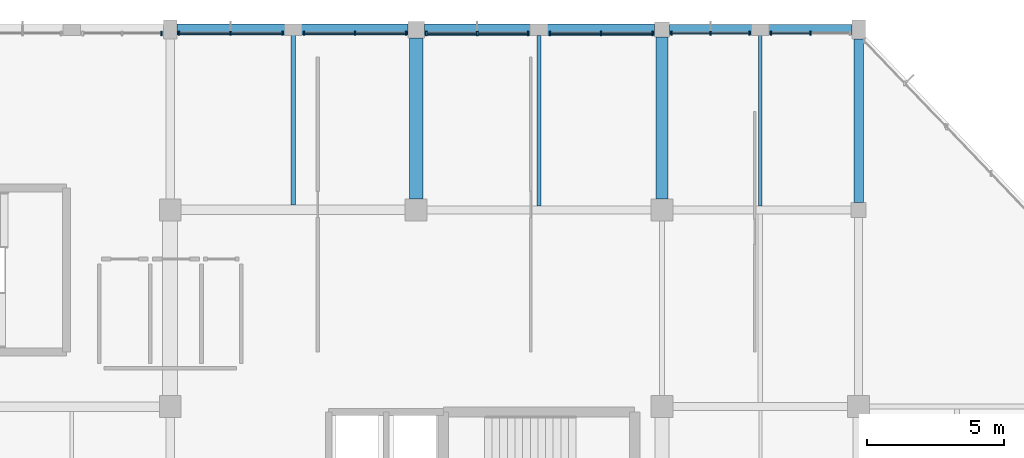
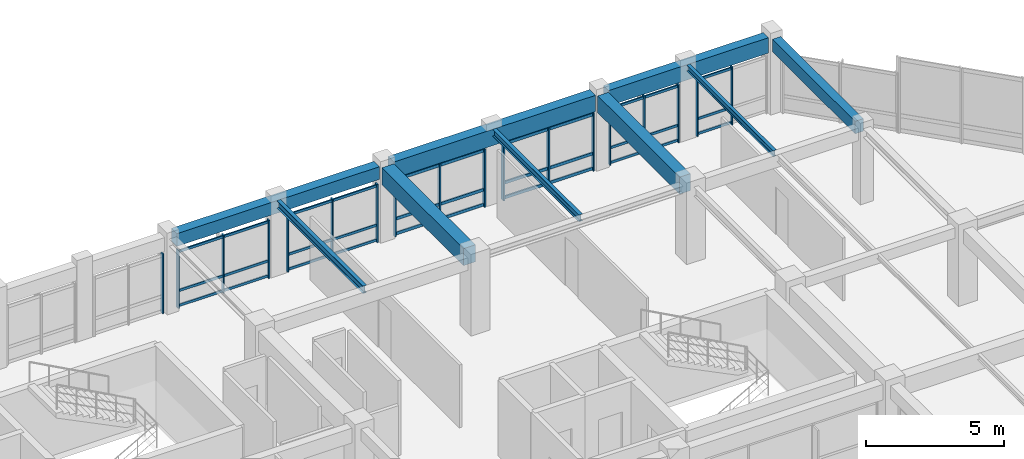
# One storey, part 40 of 74: 51 members, 9 beams, 7 elements without a shape of their own.
"""IFC4 building model written with IfcOpenShell, lengths in metres."""

import ifcopenshell
import ifcopenshell.guid

model = None  # the IFC model being written
_history = None  # IfcOwnerHistory: only IFC2X3 demands one
_inside = {}  # id of a spatial element -> (the spatial element, [elements in it])
_under = {}  # id of a project, library or spatial element -> (it, [spatial elements below it])
_declared = {}  # id of a project -> (the project, [libraries it declares])
_typed = {}  # id of a type object -> (the type object, [elements of that type])
_made_of = {}  # id of a material, layer set ... -> (it, [elements and type objects made of it])


def new_model(schema):
    """Start an empty IFC model of exactly this schema.

    Asked for "IFC4X3", IfcOpenShell would pick the latest addendum, in which some entities
    have other attributes; the version numbers below select the first issue.
    IFC2X3 requires an IfcOwnerHistory on every rooted entity: one is made here for all.
    """
    global model, _history
    if schema == "IFC4X3":
        model = ifcopenshell.file(schema_version=(4, 3, 0, 0))
    else:
        model = ifcopenshell.file(schema=schema)
    _inside.clear()
    _under.clear()
    _declared.clear()
    _typed.clear()
    _made_of.clear()
    _history = None
    if model.schema == "IFC2X3":
        org = make("IfcOrganization", Name="unknown")
        user = make(
            "IfcPersonAndOrganization",
            ThePerson=make("IfcPerson", FamilyName="unknown"),
            TheOrganization=org,
        )
        app = make(
            "IfcApplication",
            ApplicationDeveloper=org,
            Version="unknown",
            ApplicationFullName="unknown",
            ApplicationIdentifier="unknown",
        )
        _history = make(
            "IfcOwnerHistory",
            OwningUser=user,
            OwningApplication=app,
            ChangeAction="ADDED",
            CreationDate=0,
        )
    return model


def make(cls, **values):
    """One entity of the class cls with the attributes given. An attribute that is None is left unset."""
    return model.create_entity(
        cls, **{name: value for name, value in values.items() if value is not None}
    )


def rooted(cls, **values):
    """An entity with a GlobalId (a new one), such as an element, a storey or a relation."""
    return make(cls, GlobalId=ifcopenshell.guid.new(), OwnerHistory=_history, **values)


def si_unit(unit_type, name, prefix=None):
    """IfcSIUnit, for example si_unit("LENGTHUNIT", "METRE", prefix="MILLI")."""
    return make("IfcSIUnit", UnitType=unit_type, Prefix=prefix, Name=name)


def assignment(units):
    """IfcUnitAssignment: the units of a project."""
    return None if units is None else make("IfcUnitAssignment", Units=units)


def point(xyz):
    """IfcCartesianPoint."""
    return None if xyz is None else make("IfcCartesianPoint", Coordinates=xyz)


def direction(xyz):
    """IfcDirection."""
    return None if xyz is None else make("IfcDirection", DirectionRatios=xyz)


def frame(location, z_axis=None, x_axis=None):
    """IfcAxis2Placement3D, a coordinate frame: its origin and axes. An axis left out is left unset."""
    return make(
        "IfcAxis2Placement3D",
        Location=point(location),
        Axis=direction(z_axis),
        RefDirection=direction(x_axis),
    )


def frame_2d(location, x_axis=None):
    """IfcAxis2Placement2D, a coordinate frame in the plane: its origin and x axis."""
    return make(
        "IfcAxis2Placement2D", Location=point(location), RefDirection=direction(x_axis)
    )


def origin():
    """The frame at (0, 0, 0) with its axes left unset."""
    return frame((0.0, 0.0, 0.0))


def origin_2d():
    """The frame at (0, 0) in the plane with its x axis left unset."""
    return frame_2d((0.0, 0.0))


def place(relative_to, where):
    """IfcLocalPlacement: puts the frame where relative to a parent placement (None: the world)."""
    return make(
        "IfcLocalPlacement", PlacementRelTo=relative_to, RelativePlacement=where
    )


def context(
    kind, dimensions, precision=None, world=None, true_north=None, identifier=None
):
    """IfcGeometricRepresentationContext, for example the 3D "Model" context."""
    return make(
        "IfcGeometricRepresentationContext",
        ContextIdentifier=identifier,
        ContextType=kind,
        CoordinateSpaceDimension=dimensions,
        Precision=precision,
        WorldCoordinateSystem=world,
        TrueNorth=true_north,
    )


def subcontext(parent, identifier, kind, view, scale=None):
    """IfcGeometricRepresentationSubContext, for example "Body" below "Model"."""
    return make(
        "IfcGeometricRepresentationSubContext",
        ContextIdentifier=identifier,
        ContextType=kind,
        ParentContext=parent,
        TargetScale=scale,
        TargetView=view,
    )


def project(units=None, contexts=None):
    """IfcProject with its units and contexts."""
    return rooted(
        "IfcProject",
        Name="project",
        RepresentationContexts=contexts,
        UnitsInContext=assignment(units),
    )


def spatial(cls, under=None, at=None, **own):
    """A site, building, storey or space (cls), placed at a placement, below another one or the project."""
    s = rooted(cls, ObjectPlacement=at, **own)
    if under is not None:
        _under.setdefault(under.id(), (under, []))[1].append(s)
    return s


def profile(cls, at=None, kind="AREA", **sizes):
    """A parametric profile (cls). Its sizes go by their IFC names, for example OverallWidth=200.0."""
    return make(cls, ProfileType=kind, Position=at, **sizes)


def rectangle(**sizes):
    """IfcRectangleProfileDef."""
    return profile("IfcRectangleProfileDef", **sizes)


def i_section(**sizes):
    """IfcIShapeProfileDef."""
    return profile("IfcIShapeProfileDef", **sizes)


def extrude(swept, where, along, depth):
    """IfcExtrudedAreaSolid: the profile swept, set in the frame where, extruded along a direction by depth."""
    return make(
        "IfcExtrudedAreaSolid",
        SweptArea=swept,
        Position=where,
        ExtrudedDirection=direction(along),
        Depth=depth,
    )


def shape(context_of_items, identifier, shape_type, items):
    """IfcShapeRepresentation: the items that make up one representation, for example the "Body"."""
    return make(
        "IfcShapeRepresentation",
        ContextOfItems=context_of_items,
        RepresentationIdentifier=identifier,
        RepresentationType=shape_type,
        Items=items,
    )


def material(Name=None, Category=None):
    """IfcMaterial."""
    return make("IfcMaterial", Name=Name, Category=Category)


def material_profile(
    of_material, cross_section, Name=None, Category=None, Priority=None
):
    """IfcMaterialProfile: a cross section and its material."""
    return make(
        "IfcMaterialProfile",
        Name=Name,
        Material=of_material,
        Profile=cross_section,
        Priority=Priority,
        Category=Category,
    )


def profile_set(profiles, Name=None, composite=None):
    """IfcMaterialProfileSet."""
    return make(
        "IfcMaterialProfileSet",
        Name=Name,
        MaterialProfiles=profiles,
        CompositeProfile=composite,
    )


def made_of(thing, what):
    """Note that an element or type object is made of a material, layer set ...; save() writes the relation."""
    if what is not None:
        _made_of.setdefault(what.id(), (what, []))[1].append(thing)
    return thing


def type_object(cls, material=None, **own):
    """A type object (cls), such as IfcWallType, which elements share."""
    return made_of(rooted(cls, **own), material)


def element(
    cls,
    number,
    at=None,
    inside=None,
    cuts=None,
    type_object=None,
    material=None,
    context=None,
    identifier="Body",
    shape_type=None,
    held_by="IfcProductDefinitionShape",
    body=None,
    shapes=None,
    **own,
):
    """One element of the class cls, such as IfcWall. Its Tag is "e" and its number.

    at: its placement. inside: the storey or other place that contains it. cuts: it is an
    opening in that element (IfcRelVoidsElement). A single representation is given by context,
    identifier, shape_type and body (its items); several are given by shapes. held_by: the class
    of the entity that holds the representations. save() writes the other relations.
    """
    e = rooted(cls, Tag="e%d" % number, ObjectPlacement=at, **own)
    if body is not None:
        shapes = [shape(context, identifier, shape_type, body)]
    if shapes is not None:
        e.Representation = make(held_by, Representations=shapes)
    if inside is not None:
        _inside.setdefault(inside.id(), (inside, []))[1].append(e)
    if cuts is not None:
        rooted(
            "IfcRelVoidsElement", RelatingBuildingElement=cuts, RelatedOpeningElement=e
        )
    if type_object is not None:
        _typed.setdefault(type_object.id(), (type_object, []))[1].append(e)
    return made_of(e, material)


def aggregate(whole, parts):
    """IfcRelAggregates: a whole, such as a stair, and the parts it consists of."""
    return rooted("IfcRelAggregates", RelatingObject=whole, RelatedObjects=parts)


def save(model, path):
    """Write the relations noted so far, then the file.

    IfcRelAggregates (storeys below a building ...), IfcRelContainedInSpatialStructure (elements
    in a storey), IfcRelDefinesByType, IfcRelAssociatesMaterial and IfcRelDeclares: one each for
    every whole, place, type object, material and project.
    """
    for whole, parts in _under.values():
        aggregate(whole, parts)
    for where, things in _inside.values():
        rooted(
            "IfcRelContainedInSpatialStructure",
            RelatedElements=things,
            RelatingStructure=where,
        )
    for kind, things in _typed.values():
        rooted("IfcRelDefinesByType", RelatedObjects=things, RelatingType=kind)
    for what, things in _made_of.values():
        rooted("IfcRelAssociatesMaterial", RelatedObjects=things, RelatingMaterial=what)
    for by, libraries in _declared.values():
        rooted("IfcRelDeclares", RelatingContext=by, RelatedDefinitions=libraries)
    model.write(path)


model = new_model("IFC4")

# Units and contexts
model_context = context("Model", 3, precision=1e-05, world=origin(), true_north=direction((0.0, 1.0)))
body_context = subcontext(model_context, "Body", "Model", "MODEL_VIEW")
ifc_project = project(units=[si_unit("LENGTHUNIT", "METRE"), si_unit("AREAUNIT", "SQUARE_METRE"), si_unit("VOLUMEUNIT", "CUBIC_METRE"), si_unit("PLANEANGLEUNIT", "RADIAN"), si_unit("MASSUNIT", "GRAM", prefix="KILO")], contexts=[model_context])

# Site, building, storey
site_placement = place(None, origin())
site = spatial("IfcSite", under=ifc_project, at=site_placement, CompositionType="ELEMENT")
building_placement = place(site_placement, origin())
building = spatial("IfcBuilding", under=site, at=building_placement, Name="Clarverna Civic Hall", CompositionType="ELEMENT")
storey_placement = place(building_placement, frame((0.0, 0.0, 9.60009765625)))
storey = spatial("IfcBuildingStorey", under=building, at=storey_placement, Name="L02", CompositionType="ELEMENT", Elevation=9.60009765625)

# Beams
ifc_material_1 = material(Name="Concrete C35/45", Category="concrete")
ifc_material_profile_1 = material_profile(ifc_material_1, rectangle(XDim=0.5, YDim=0.75, at=origin_2d()), Name="RC 500x750")
ifc_profile_set_1 = profile_set([ifc_material_profile_1], Name="Concrete C35/45")
beam_type_1 = type_object("IfcBeamType", Name="B-RC15", PredefinedType="BEAM", material=ifc_profile_set_1)
beam_1_placement = place(storey_placement, frame((138.60009765625, 109.800048828125, 2.94482421875), z_axis=(0.0, 1.0, 0.0), x_axis=(-1.0, 0.0, 0.0)))
element("IfcBeam", 1, at=beam_1_placement, inside=storey, type_object=beam_type_1, Name="B-RC15-042", PredefinedType="BEAM", context=body_context, shape_type="SweptSolid", body=[
    extrude(rectangle(XDim=0.5, YDim=0.75, at=origin_2d()), origin(), (0.0, 0.0, 1.0), 5.89990234375),
])
ifc_material_profile_2 = material_profile(ifc_material_1, rectangle(XDim=0.449951171875, YDim=0.75, at=origin_2d()), Name="RC 450x750")
ifc_profile_set_2 = profile_set([ifc_material_profile_2], Name="Concrete C35/45")
beam_type_2 = type_object("IfcBeamType", Name="B-RC3", PredefinedType="BEAM", material=ifc_profile_set_2)
beam_2_placement = place(storey_placement, frame((147.60009765625, 109.800048828125, 2.94482421875), z_axis=(0.0, 1.0, 0.0), x_axis=(-1.0, 0.0, 0.0)))
element("IfcBeam", 2, at=beam_2_placement, inside=storey, type_object=beam_type_2, Name="B-RC3-034", PredefinedType="BEAM", context=body_context, shape_type="SweptSolid", body=[
    extrude(rectangle(XDim=0.449951171875, YDim=0.75, at=origin_2d()), origin(), (0.0, 0.0, 1.0), 5.925048828125),
])
ifc_material_profile_3 = material_profile(ifc_material_1, rectangle(XDim=0.35009765625, YDim=0.550048828125, at=origin_2d()), Name="RC 350x550")
ifc_profile_set_3 = profile_set([ifc_material_profile_3], Name="Concrete C35/45")
beam_type_3 = type_object("IfcBeamType", Name="B-RC9", PredefinedType="BEAM", material=ifc_profile_set_3)
beam_3_placement = place(storey_placement, frame((154.800048828125, 109.675048828125, 3.044921875), z_axis=(0.0, 1.0, 0.0), x_axis=(-1.0, 0.0, 0.0)))
element("IfcBeam", 3, at=beam_3_placement, inside=storey, type_object=beam_type_3, Name="B-RC9-040", PredefinedType="BEAM", context=body_context, shape_type="SweptSolid", body=[
    extrude(rectangle(XDim=0.35009765625, YDim=0.550048828125, at=origin_2d()), origin(), (0.0, 0.0, 1.0), 5.974853515625),
])
ifc_material_profile_4 = material_profile(ifc_material_1, rectangle(XDim=0.419921875, YDim=0.719970703125, at=origin_2d()), Name="RC 420x720")
ifc_profile_set_4 = profile_set([ifc_material_profile_4], Name="Concrete C35/45")
beam_type_4 = type_object("IfcBeamType", Name="B-SP1", PredefinedType="SPANDREL", material=ifc_profile_set_4)
beam_4_placement = place(storey_placement, frame((138.89990234375, 116.0, 2.9599609375), z_axis=(1.0, 0.0, 0.0), x_axis=(0.0, 1.0, 0.0)))
element("IfcBeam", 4, at=beam_4_placement, inside=storey, type_object=beam_type_4, Name="B-SP1-092", PredefinedType="SPANDREL", context=body_context, shape_type="SweptSolid", body=[
    extrude(rectangle(XDim=0.419921875, YDim=0.719970703125, at=origin_2d()), origin(), (0.0, 0.0, 1.0), 8.425048828125),
])
ifc_material_profile_5 = material_profile(ifc_material_1, rectangle(XDim=0.3798828125, YDim=0.679931640625, at=origin_2d()), Name="RC 380x680")
ifc_profile_set_5 = profile_set([ifc_material_profile_5], Name="Concrete C35/45")
beam_type_5 = type_object("IfcBeamType", Name="B-SP2", PredefinedType="SPANDREL", material=ifc_profile_set_5)
beam_5_placement = place(storey_placement, frame((147.875, 116.0, 2.97998046875), z_axis=(1.0, 0.0, 0.0), x_axis=(0.0, 1.0, 0.0)))
element("IfcBeam", 5, at=beam_5_placement, inside=storey, type_object=beam_type_5, Name="B-SP2-096", PredefinedType="SPANDREL", context=body_context, shape_type="SweptSolid", body=[
    extrude(rectangle(XDim=0.3798828125, YDim=0.679931640625, at=origin_2d()), origin(), (0.0, 0.0, 1.0), 6.675048828125),
])
ifc_material_profile_6 = material_profile(ifc_material_1, rectangle(XDim=0.39990234375, YDim=0.56005859375, at=origin_2d()), Name="RC 400x560")
ifc_profile_set_6 = profile_set([ifc_material_profile_6], Name="Concrete C35/45")
beam_type_6 = type_object("IfcBeamType", Name="B-SP4", PredefinedType="SPANDREL", material=ifc_profile_set_6)
beam_6_placement = place(storey_placement, frame((129.85009765625, 116.0, 3.039794921875), z_axis=(1.0, 0.0, 0.0), x_axis=(0.0, 1.0, 0.0)))
element("IfcBeam", 6, at=beam_6_placement, inside=storey, type_object=beam_type_6, Name="B-SP4-093", PredefinedType="SPANDREL", context=body_context, shape_type="SweptSolid", body=[
    extrude(rectangle(XDim=0.39990234375, YDim=0.56005859375, at=origin_2d()), origin(), (0.0, 0.0, 1.0), 8.449951171875),
])

# Curtain wall, member
ifc_material_2 = material(Name="Anodised Bronze Architectural Aluminium", Category="aluminium")
curtain_wall_type = type_object("IfcCurtainWallType", Name="CW-01", PredefinedType="USERDEFINED", material=ifc_material_2)
curtain_wall_1_placement = place(storey_placement, origin())
curtain_wall_1 = element("IfcCurtainWall", 7, at=curtain_wall_1_placement, inside=storey, type_object=curtain_wall_type, Name="CW-01-033", ObjectType="UNITISED CURTAIN WALL", PredefinedType="USERDEFINED")
ifc_material_profile_7 = material_profile(ifc_material_2, rectangle(XDim=0.06005859375, YDim=0.159912109375, at=origin_2d()), Name="BRONZE 60x160")
ifc_profile_set_7 = profile_set([ifc_material_profile_7], Name="Anodised Bronze Architectural Aluminium")
member_type_1 = type_object("IfcMemberType", Name="CWM-02", PredefinedType="MULLION", material=ifc_profile_set_7)
member_1_placement = place(storey_placement, frame((129.277099609375, 115.860107421875, 0.0), z_axis=(0.0, 0.0, 1.0), x_axis=(1.0, 0.0, 0.0)))
member_1 = element("IfcMember", 8, at=member_1_placement, type_object=member_type_1, Name="CWM-02-100", PredefinedType="MULLION", context=body_context, shape_type="SweptSolid", body=[
    extrude(rectangle(XDim=0.06005859375, YDim=0.159912109375, at=origin_2d()), origin(), (0.0, 0.0, 1.0), 2.639892578125),
])
aggregate(curtain_wall_1, [member_1])

# Curtain wall, members
curtain_wall_2_placement = place(storey_placement, origin())
curtain_wall_2 = element("IfcCurtainWall", 9, at=curtain_wall_2_placement, inside=storey, type_object=curtain_wall_type, Name="CW-01-036", ObjectType="UNITISED CURTAIN WALL", PredefinedType="USERDEFINED")
member_2_placement = place(storey_placement, frame((138.972900390625, 115.860107421875, 0.0), z_axis=(0.0, 0.0, 1.0), x_axis=(1.0, 0.0, 0.0)))
member_2 = element("IfcMember", 10, at=member_2_placement, type_object=member_type_1, Name="CWM-02-101", PredefinedType="MULLION", context=body_context, shape_type="SweptSolid", body=[
    extrude(rectangle(XDim=0.06005859375, YDim=0.159912109375, at=origin_2d()), origin(), (0.0, 0.0, 1.0), 2.56982421875),
])
member_3_placement = place(storey_placement, frame((140.83740234375, 115.860107421875, 0.0), z_axis=(0.0, 0.0, 1.0), x_axis=(1.0, 0.0, 0.0)))
member_3 = element("IfcMember", 11, at=member_3_placement, type_object=member_type_1, Name="CWM-02-102", PredefinedType="MULLION", context=body_context, shape_type="SweptSolid", body=[
    extrude(rectangle(XDim=0.06005859375, YDim=0.159912109375, at=origin_2d()), origin(), (0.0, 0.0, 1.0), 2.56982421875),
])
member_4_placement = place(storey_placement, frame((142.701904296875, 115.860107421875, 0.0), z_axis=(0.0, 0.0, 1.0), x_axis=(1.0, 0.0, 0.0)))
member_4 = element("IfcMember", 12, at=member_4_placement, type_object=member_type_1, Name="CWM-02-103", PredefinedType="MULLION", context=body_context, shape_type="SweptSolid", body=[
    extrude(rectangle(XDim=0.06005859375, YDim=0.159912109375, at=origin_2d()), origin(), (0.0, 0.0, 1.0), 2.56982421875),
])

curtain_wall_3_placement = place(storey_placement, origin())
curtain_wall_3 = element("IfcCurtainWall", 13, at=curtain_wall_3_placement, inside=storey, type_object=curtain_wall_type, Name="CW-01-037", ObjectType="UNITISED CURTAIN WALL", PredefinedType="USERDEFINED")
member_5_placement = place(storey_placement, frame((143.498046875, 115.860107421875, 0.0), z_axis=(0.0, 0.0, 1.0), x_axis=(1.0, 0.0, 0.0)))
member_5 = element("IfcMember", 14, at=member_5_placement, type_object=member_type_1, Name="CWM-02-104", PredefinedType="MULLION", context=body_context, shape_type="SweptSolid", body=[
    extrude(rectangle(XDim=0.06005859375, YDim=0.159912109375, at=origin_2d()), origin(), (0.0, 0.0, 1.0), 2.56982421875),
])
member_6_placement = place(storey_placement, frame((145.375, 115.860107421875, 0.0), z_axis=(0.0, 0.0, 1.0), x_axis=(1.0, 0.0, 0.0)))
member_6 = element("IfcMember", 15, at=member_6_placement, type_object=member_type_1, Name="CWM-02-105", PredefinedType="MULLION", context=body_context, shape_type="SweptSolid", body=[
    extrude(rectangle(XDim=0.06005859375, YDim=0.159912109375, at=origin_2d()), origin(), (0.0, 0.0, 1.0), 2.56982421875),
])
member_7_placement = place(storey_placement, frame((147.251953125, 115.860107421875, 0.0), z_axis=(0.0, 0.0, 1.0), x_axis=(1.0, 0.0, 0.0)))
member_7 = element("IfcMember", 16, at=member_7_placement, type_object=member_type_1, Name="CWM-02-106", PredefinedType="MULLION", context=body_context, shape_type="SweptSolid", body=[
    extrude(rectangle(XDim=0.06005859375, YDim=0.159912109375, at=origin_2d()), origin(), (0.0, 0.0, 1.0), 2.56982421875),
])

curtain_wall_4_placement = place(storey_placement, origin())
curtain_wall_4 = element("IfcCurtainWall", 17, at=curtain_wall_4_placement, inside=storey, type_object=curtain_wall_type, Name="CW-01-034", ObjectType="UNITISED CURTAIN WALL", PredefinedType="USERDEFINED")
ifc_material_profile_8 = material_profile(ifc_material_2, rectangle(XDim=0.054931640625, YDim=0.139892578125, at=origin_2d()), Name="BRONZE 55x140")
ifc_profile_set_8 = profile_set([ifc_material_profile_8], Name="Anodised Bronze Architectural Aluminium")
member_type_2 = type_object("IfcMemberType", Name="CWM-04", PredefinedType="MULLION", material=ifc_profile_set_8)
member_8_placement = place(storey_placement, frame((129.923095703125, 115.860107421875, 0.0), z_axis=(0.0, 0.0, 1.0), x_axis=(1.0, 0.0, 0.0)))
member_8 = element("IfcMember", 18, at=member_8_placement, type_object=member_type_2, Name="CWM-04-099", PredefinedType="MULLION", context=body_context, shape_type="SweptSolid", body=[
    extrude(rectangle(XDim=0.054931640625, YDim=0.139892578125, at=origin_2d()), origin(), (0.0, 0.0, 1.0), 2.56982421875),
])
member_9_placement = place(storey_placement, frame((131.8125, 115.860107421875, 0.0), z_axis=(0.0, 0.0, 1.0), x_axis=(1.0, 0.0, 0.0)))
member_9 = element("IfcMember", 19, at=member_9_placement, type_object=member_type_2, Name="CWM-04-100", PredefinedType="MULLION", context=body_context, shape_type="SweptSolid", body=[
    extrude(rectangle(XDim=0.054931640625, YDim=0.139892578125, at=origin_2d()), origin(), (0.0, 0.0, 1.0), 2.56982421875),
])
member_10_placement = place(storey_placement, frame((133.701904296875, 115.860107421875, 0.0), z_axis=(0.0, 0.0, 1.0), x_axis=(1.0, 0.0, 0.0)))
member_10 = element("IfcMember", 20, at=member_10_placement, type_object=member_type_2, Name="CWM-04-101", PredefinedType="MULLION", context=body_context, shape_type="SweptSolid", body=[
    extrude(rectangle(XDim=0.054931640625, YDim=0.139892578125, at=origin_2d()), origin(), (0.0, 0.0, 1.0), 2.56982421875),
])

curtain_wall_5_placement = place(storey_placement, origin())
curtain_wall_5 = element("IfcCurtainWall", 21, at=curtain_wall_5_placement, inside=storey, type_object=curtain_wall_type, Name="CW-01-035", ObjectType="UNITISED CURTAIN WALL", PredefinedType="USERDEFINED")
member_11_placement = place(storey_placement, frame((134.498046875, 115.860107421875, 0.0), z_axis=(0.0, 0.0, 1.0), x_axis=(1.0, 0.0, 0.0)))
member_11 = element("IfcMember", 22, at=member_11_placement, type_object=member_type_2, Name="CWM-04-102", PredefinedType="MULLION", context=body_context, shape_type="SweptSolid", body=[
    extrude(rectangle(XDim=0.054931640625, YDim=0.139892578125, at=origin_2d()), origin(), (0.0, 0.0, 1.0), 2.56982421875),
])
member_12_placement = place(storey_placement, frame((136.362548828125, 115.860107421875, 0.0), z_axis=(0.0, 0.0, 1.0), x_axis=(1.0, 0.0, 0.0)))
member_12 = element("IfcMember", 23, at=member_12_placement, type_object=member_type_2, Name="CWM-04-103", PredefinedType="MULLION", context=body_context, shape_type="SweptSolid", body=[
    extrude(rectangle(XDim=0.054931640625, YDim=0.139892578125, at=origin_2d()), origin(), (0.0, 0.0, 1.0), 2.56982421875),
])
member_13_placement = place(storey_placement, frame((138.22705078125, 115.860107421875, 0.0), z_axis=(0.0, 0.0, 1.0), x_axis=(1.0, 0.0, 0.0)))
member_13 = element("IfcMember", 24, at=member_13_placement, type_object=member_type_2, Name="CWM-04-104", PredefinedType="MULLION", context=body_context, shape_type="SweptSolid", body=[
    extrude(rectangle(XDim=0.054931640625, YDim=0.139892578125, at=origin_2d()), origin(), (0.0, 0.0, 1.0), 2.56982421875),
])

curtain_wall_6_placement = place(storey_placement, origin())
curtain_wall_6 = element("IfcCurtainWall", 25, at=curtain_wall_6_placement, inside=storey, type_object=curtain_wall_type, Name="CW-01-038", ObjectType="UNITISED CURTAIN WALL", PredefinedType="USERDEFINED")
member_14_placement = place(storey_placement, frame((147.947998046875, 115.860107421875, 0.0), z_axis=(0.0, 0.0, 1.0), x_axis=(1.0, 0.0, 0.0)))
member_14 = element("IfcMember", 26, at=member_14_placement, type_object=member_type_2, Name="CWM-04-105", PredefinedType="MULLION", context=body_context, shape_type="SweptSolid", body=[
    extrude(rectangle(XDim=0.054931640625, YDim=0.139892578125, at=origin_2d()), origin(), (0.0, 0.0, 1.0), 2.56982421875),
])
member_15_placement = place(storey_placement, frame((149.375, 115.860107421875, 0.0), z_axis=(0.0, 0.0, 1.0), x_axis=(1.0, 0.0, 0.0)))
member_15 = element("IfcMember", 27, at=member_15_placement, type_object=member_type_2, Name="CWM-04-106", PredefinedType="MULLION", context=body_context, shape_type="SweptSolid", body=[
    extrude(rectangle(XDim=0.054931640625, YDim=0.139892578125, at=origin_2d()), origin(), (0.0, 0.0, 1.0), 2.56982421875),
])
member_16_placement = place(storey_placement, frame((150.802001953125, 115.860107421875, 0.0), z_axis=(0.0, 0.0, 1.0), x_axis=(1.0, 0.0, 0.0)))
member_16 = element("IfcMember", 28, at=member_16_placement, type_object=member_type_2, Name="CWM-04-107", PredefinedType="MULLION", context=body_context, shape_type="SweptSolid", body=[
    extrude(rectangle(XDim=0.054931640625, YDim=0.139892578125, at=origin_2d()), origin(), (0.0, 0.0, 1.0), 2.56982421875),
])

curtain_wall_7_placement = place(storey_placement, origin())
curtain_wall_7 = element("IfcCurtainWall", 29, at=curtain_wall_7_placement, inside=storey, type_object=curtain_wall_type, Name="CW-01-039", ObjectType="UNITISED CURTAIN WALL", PredefinedType="USERDEFINED")
member_17_placement = place(storey_placement, frame((151.597900390625, 115.860107421875, 0.0), z_axis=(0.0, 0.0, 1.0), x_axis=(1.0, 0.0, 0.0)))
member_17 = element("IfcMember", 30, at=member_17_placement, type_object=member_type_2, Name="CWM-04-108", PredefinedType="MULLION", context=body_context, shape_type="SweptSolid", body=[
    extrude(rectangle(XDim=0.054931640625, YDim=0.139892578125, at=origin_2d()), origin(), (0.0, 0.0, 1.0), 2.56982421875),
])
member_18_placement = place(storey_placement, frame((153.03759765625, 115.860107421875, 0.0), z_axis=(0.0, 0.0, 1.0), x_axis=(1.0, 0.0, 0.0)))
member_18 = element("IfcMember", 31, at=member_18_placement, type_object=member_type_2, Name="CWM-04-109", PredefinedType="MULLION", context=body_context, shape_type="SweptSolid", body=[
    extrude(rectangle(XDim=0.054931640625, YDim=0.139892578125, at=origin_2d()), origin(), (0.0, 0.0, 1.0), 2.56982421875),
])

# Member
ifc_material_profile_9 = material_profile(ifc_material_2, rectangle(XDim=0.06005859375, YDim=0.1298828125, at=origin_2d()), Name="BRONZE 60x130")
ifc_profile_set_9 = profile_set([ifc_material_profile_9], Name="Anodised Bronze Architectural Aluminium")
member_type_3 = type_object("IfcMemberType", Name="CWT-02", PredefinedType="USERDEFINED", material=ifc_profile_set_9)
member_19_placement = place(storey_placement, frame((138.988037109375, 115.860107421875, 0.094970703125), z_axis=(1.0, 0.0, 0.0), x_axis=(0.0, 1.0, 0.0)))
member_19 = element("IfcMember", 32, at=member_19_placement, type_object=member_type_3, Name="CWT-02-211", ObjectType="TRANSOM", PredefinedType="USERDEFINED", context=body_context, shape_type="SweptSolid", body=[
    extrude(rectangle(XDim=0.06005859375, YDim=0.1298828125, at=origin_2d()), origin(), (0.0, 0.0, 1.0), 1.83447265625),
])

member_20_placement = place(storey_placement, frame((138.988037109375, 115.860107421875, 0.75), z_axis=(1.0, 0.0, 0.0), x_axis=(0.0, 1.0, 0.0)))
member_20 = element("IfcMember", 33, at=member_20_placement, type_object=member_type_3, Name="CWT-02-212", ObjectType="TRANSOM", PredefinedType="USERDEFINED", context=body_context, shape_type="SweptSolid", body=[
    extrude(rectangle(XDim=0.06005859375, YDim=0.1298828125, at=origin_2d()), origin(), (0.0, 0.0, 1.0), 1.83447265625),
])

member_21_placement = place(storey_placement, frame((138.988037109375, 115.860107421875, 2.474853515625), z_axis=(1.0, 0.0, 0.0), x_axis=(0.0, 1.0, 0.0)))
member_21 = element("IfcMember", 34, at=member_21_placement, type_object=member_type_3, Name="CWT-02-213", ObjectType="TRANSOM", PredefinedType="USERDEFINED", context=body_context, shape_type="SweptSolid", body=[
    extrude(rectangle(XDim=0.06005859375, YDim=0.1298828125, at=origin_2d()), origin(), (0.0, 0.0, 1.0), 1.83447265625),
])

member_22_placement = place(storey_placement, frame((140.8525390625, 115.860107421875, 0.094970703125), z_axis=(1.0, 0.0, 0.0), x_axis=(0.0, 1.0, 0.0)))
member_22 = element("IfcMember", 35, at=member_22_placement, type_object=member_type_3, Name="CWT-02-214", ObjectType="TRANSOM", PredefinedType="USERDEFINED", context=body_context, shape_type="SweptSolid", body=[
    extrude(rectangle(XDim=0.06005859375, YDim=0.1298828125, at=origin_2d()), origin(), (0.0, 0.0, 1.0), 1.83447265625),
])

member_23_placement = place(storey_placement, frame((140.8525390625, 115.860107421875, 0.75), z_axis=(1.0, 0.0, 0.0), x_axis=(0.0, 1.0, 0.0)))
member_23 = element("IfcMember", 36, at=member_23_placement, type_object=member_type_3, Name="CWT-02-215", ObjectType="TRANSOM", PredefinedType="USERDEFINED", context=body_context, shape_type="SweptSolid", body=[
    extrude(rectangle(XDim=0.06005859375, YDim=0.1298828125, at=origin_2d()), origin(), (0.0, 0.0, 1.0), 1.83447265625),
])

member_24_placement = place(storey_placement, frame((140.8525390625, 115.860107421875, 2.474853515625), z_axis=(1.0, 0.0, 0.0), x_axis=(0.0, 1.0, 0.0)))
member_24 = element("IfcMember", 37, at=member_24_placement, type_object=member_type_3, Name="CWT-02-216", ObjectType="TRANSOM", PredefinedType="USERDEFINED", context=body_context, shape_type="SweptSolid", body=[
    extrude(rectangle(XDim=0.06005859375, YDim=0.1298828125, at=origin_2d()), origin(), (0.0, 0.0, 1.0), 1.83447265625),
])

aggregate(curtain_wall_2, [member_2, member_3, member_4, member_19, member_20, member_21, member_22, member_23, member_24])

member_25_placement = place(storey_placement, frame((143.512939453125, 115.860107421875, 0.094970703125), z_axis=(1.0, 0.0, 0.0), x_axis=(0.0, 1.0, 0.0)))
member_25 = element("IfcMember", 38, at=member_25_placement, type_object=member_type_3, Name="CWT-02-217", ObjectType="TRANSOM", PredefinedType="USERDEFINED", context=body_context, shape_type="SweptSolid", body=[
    extrude(rectangle(XDim=0.06005859375, YDim=0.1298828125, at=origin_2d()), origin(), (0.0, 0.0, 1.0), 1.84716796875),
])

member_26_placement = place(storey_placement, frame((143.512939453125, 115.860107421875, 0.75), z_axis=(1.0, 0.0, 0.0), x_axis=(0.0, 1.0, 0.0)))
member_26 = element("IfcMember", 39, at=member_26_placement, type_object=member_type_3, Name="CWT-02-218", ObjectType="TRANSOM", PredefinedType="USERDEFINED", context=body_context, shape_type="SweptSolid", body=[
    extrude(rectangle(XDim=0.06005859375, YDim=0.1298828125, at=origin_2d()), origin(), (0.0, 0.0, 1.0), 1.84716796875),
])

member_27_placement = place(storey_placement, frame((143.512939453125, 115.860107421875, 2.474853515625), z_axis=(1.0, 0.0, 0.0), x_axis=(0.0, 1.0, 0.0)))
member_27 = element("IfcMember", 40, at=member_27_placement, type_object=member_type_3, Name="CWT-02-219", ObjectType="TRANSOM", PredefinedType="USERDEFINED", context=body_context, shape_type="SweptSolid", body=[
    extrude(rectangle(XDim=0.06005859375, YDim=0.1298828125, at=origin_2d()), origin(), (0.0, 0.0, 1.0), 1.84716796875),
])

member_28_placement = place(storey_placement, frame((145.389892578125, 115.860107421875, 0.094970703125), z_axis=(1.0, 0.0, 0.0), x_axis=(0.0, 1.0, 0.0)))
member_28 = element("IfcMember", 41, at=member_28_placement, type_object=member_type_3, Name="CWT-02-220", ObjectType="TRANSOM", PredefinedType="USERDEFINED", context=body_context, shape_type="SweptSolid", body=[
    extrude(rectangle(XDim=0.06005859375, YDim=0.1298828125, at=origin_2d()), origin(), (0.0, 0.0, 1.0), 1.84716796875),
])

member_29_placement = place(storey_placement, frame((145.389892578125, 115.860107421875, 0.75), z_axis=(1.0, 0.0, 0.0), x_axis=(0.0, 1.0, 0.0)))
member_29 = element("IfcMember", 42, at=member_29_placement, type_object=member_type_3, Name="CWT-02-221", ObjectType="TRANSOM", PredefinedType="USERDEFINED", context=body_context, shape_type="SweptSolid", body=[
    extrude(rectangle(XDim=0.06005859375, YDim=0.1298828125, at=origin_2d()), origin(), (0.0, 0.0, 1.0), 1.84716796875),
])

member_30_placement = place(storey_placement, frame((145.389892578125, 115.860107421875, 2.474853515625), z_axis=(1.0, 0.0, 0.0), x_axis=(0.0, 1.0, 0.0)))
member_30 = element("IfcMember", 43, at=member_30_placement, type_object=member_type_3, Name="CWT-02-222", ObjectType="TRANSOM", PredefinedType="USERDEFINED", context=body_context, shape_type="SweptSolid", body=[
    extrude(rectangle(XDim=0.06005859375, YDim=0.1298828125, at=origin_2d()), origin(), (0.0, 0.0, 1.0), 1.84716796875),
])

aggregate(curtain_wall_3, [member_5, member_6, member_7, member_25, member_26, member_27, member_28, member_29, member_30])

ifc_material_profile_10 = material_profile(ifc_material_2, rectangle(XDim=0.054931640625, YDim=0.110107421875, at=origin_2d()), Name="BRONZE 55x110")
ifc_profile_set_10 = profile_set([ifc_material_profile_10], Name="Anodised Bronze Architectural Aluminium")
member_type_4 = type_object("IfcMemberType", Name="CWT-04", PredefinedType="USERDEFINED", material=ifc_profile_set_10)
member_31_placement = place(storey_placement, frame((129.93798828125, 115.860107421875, 0.094970703125), z_axis=(1.0, 0.0, 0.0), x_axis=(0.0, 1.0, 0.0)))
member_31 = element("IfcMember", 44, at=member_31_placement, type_object=member_type_4, Name="CWT-04-208", ObjectType="TRANSOM", PredefinedType="USERDEFINED", context=body_context, shape_type="SweptSolid", body=[
    extrude(rectangle(XDim=0.054931640625, YDim=0.110107421875, at=origin_2d()), origin(), (0.0, 0.0, 1.0), 1.859619140625),
])

member_32_placement = place(storey_placement, frame((129.93798828125, 115.860107421875, 0.75), z_axis=(1.0, 0.0, 0.0), x_axis=(0.0, 1.0, 0.0)))
member_32 = element("IfcMember", 45, at=member_32_placement, type_object=member_type_4, Name="CWT-04-209", ObjectType="TRANSOM", PredefinedType="USERDEFINED", context=body_context, shape_type="SweptSolid", body=[
    extrude(rectangle(XDim=0.054931640625, YDim=0.110107421875, at=origin_2d()), origin(), (0.0, 0.0, 1.0), 1.859619140625),
])

member_33_placement = place(storey_placement, frame((129.93798828125, 115.860107421875, 2.474853515625), z_axis=(1.0, 0.0, 0.0), x_axis=(0.0, 1.0, 0.0)))
member_33 = element("IfcMember", 46, at=member_33_placement, type_object=member_type_4, Name="CWT-04-210", ObjectType="TRANSOM", PredefinedType="USERDEFINED", context=body_context, shape_type="SweptSolid", body=[
    extrude(rectangle(XDim=0.054931640625, YDim=0.110107421875, at=origin_2d()), origin(), (0.0, 0.0, 1.0), 1.859619140625),
])

member_34_placement = place(storey_placement, frame((131.827392578125, 115.860107421875, 0.094970703125), z_axis=(1.0, 0.0, 0.0), x_axis=(0.0, 1.0, 0.0)))
member_34 = element("IfcMember", 47, at=member_34_placement, type_object=member_type_4, Name="CWT-04-211", ObjectType="TRANSOM", PredefinedType="USERDEFINED", context=body_context, shape_type="SweptSolid", body=[
    extrude(rectangle(XDim=0.054931640625, YDim=0.110107421875, at=origin_2d()), origin(), (0.0, 0.0, 1.0), 1.859619140625),
])

member_35_placement = place(storey_placement, frame((131.827392578125, 115.860107421875, 0.75), z_axis=(1.0, 0.0, 0.0), x_axis=(0.0, 1.0, 0.0)))
member_35 = element("IfcMember", 48, at=member_35_placement, type_object=member_type_4, Name="CWT-04-212", ObjectType="TRANSOM", PredefinedType="USERDEFINED", context=body_context, shape_type="SweptSolid", body=[
    extrude(rectangle(XDim=0.054931640625, YDim=0.110107421875, at=origin_2d()), origin(), (0.0, 0.0, 1.0), 1.859619140625),
])

member_36_placement = place(storey_placement, frame((131.827392578125, 115.860107421875, 2.474853515625), z_axis=(1.0, 0.0, 0.0), x_axis=(0.0, 1.0, 0.0)))
member_36 = element("IfcMember", 49, at=member_36_placement, type_object=member_type_4, Name="CWT-04-213", ObjectType="TRANSOM", PredefinedType="USERDEFINED", context=body_context, shape_type="SweptSolid", body=[
    extrude(rectangle(XDim=0.054931640625, YDim=0.110107421875, at=origin_2d()), origin(), (0.0, 0.0, 1.0), 1.859619140625),
])

aggregate(curtain_wall_4, [member_8, member_9, member_10, member_31, member_32, member_33, member_34, member_35, member_36])

member_37_placement = place(storey_placement, frame((134.512939453125, 115.860107421875, 0.094970703125), z_axis=(1.0, 0.0, 0.0), x_axis=(0.0, 1.0, 0.0)))
member_37 = element("IfcMember", 50, at=member_37_placement, type_object=member_type_4, Name="CWT-04-214", ObjectType="TRANSOM", PredefinedType="USERDEFINED", context=body_context, shape_type="SweptSolid", body=[
    extrude(rectangle(XDim=0.054931640625, YDim=0.110107421875, at=origin_2d()), origin(), (0.0, 0.0, 1.0), 1.83447265625),
])

member_38_placement = place(storey_placement, frame((134.512939453125, 115.860107421875, 0.75), z_axis=(1.0, 0.0, 0.0), x_axis=(0.0, 1.0, 0.0)))
member_38 = element("IfcMember", 51, at=member_38_placement, type_object=member_type_4, Name="CWT-04-215", ObjectType="TRANSOM", PredefinedType="USERDEFINED", context=body_context, shape_type="SweptSolid", body=[
    extrude(rectangle(XDim=0.054931640625, YDim=0.110107421875, at=origin_2d()), origin(), (0.0, 0.0, 1.0), 1.83447265625),
])

member_39_placement = place(storey_placement, frame((134.512939453125, 115.860107421875, 2.474853515625), z_axis=(1.0, 0.0, 0.0), x_axis=(0.0, 1.0, 0.0)))
member_39 = element("IfcMember", 52, at=member_39_placement, type_object=member_type_4, Name="CWT-04-216", ObjectType="TRANSOM", PredefinedType="USERDEFINED", context=body_context, shape_type="SweptSolid", body=[
    extrude(rectangle(XDim=0.054931640625, YDim=0.110107421875, at=origin_2d()), origin(), (0.0, 0.0, 1.0), 1.83447265625),
])

member_40_placement = place(storey_placement, frame((136.37744140625, 115.860107421875, 0.094970703125), z_axis=(1.0, 0.0, 0.0), x_axis=(0.0, 1.0, 0.0)))
member_40 = element("IfcMember", 53, at=member_40_placement, type_object=member_type_4, Name="CWT-04-217", ObjectType="TRANSOM", PredefinedType="USERDEFINED", context=body_context, shape_type="SweptSolid", body=[
    extrude(rectangle(XDim=0.054931640625, YDim=0.110107421875, at=origin_2d()), origin(), (0.0, 0.0, 1.0), 1.83447265625),
])

member_41_placement = place(storey_placement, frame((136.37744140625, 115.860107421875, 0.75), z_axis=(1.0, 0.0, 0.0), x_axis=(0.0, 1.0, 0.0)))
member_41 = element("IfcMember", 54, at=member_41_placement, type_object=member_type_4, Name="CWT-04-218", ObjectType="TRANSOM", PredefinedType="USERDEFINED", context=body_context, shape_type="SweptSolid", body=[
    extrude(rectangle(XDim=0.054931640625, YDim=0.110107421875, at=origin_2d()), origin(), (0.0, 0.0, 1.0), 1.83447265625),
])

member_42_placement = place(storey_placement, frame((136.37744140625, 115.860107421875, 2.474853515625), z_axis=(1.0, 0.0, 0.0), x_axis=(0.0, 1.0, 0.0)))
member_42 = element("IfcMember", 55, at=member_42_placement, type_object=member_type_4, Name="CWT-04-219", ObjectType="TRANSOM", PredefinedType="USERDEFINED", context=body_context, shape_type="SweptSolid", body=[
    extrude(rectangle(XDim=0.054931640625, YDim=0.110107421875, at=origin_2d()), origin(), (0.0, 0.0, 1.0), 1.83447265625),
])

aggregate(curtain_wall_5, [member_11, member_12, member_13, member_37, member_38, member_39, member_40, member_41, member_42])

member_43_placement = place(storey_placement, frame((147.962890625, 115.860107421875, 0.094970703125), z_axis=(1.0, 0.0, 0.0), x_axis=(0.0, 1.0, 0.0)))
member_43 = element("IfcMember", 56, at=member_43_placement, type_object=member_type_4, Name="CWT-04-220", ObjectType="TRANSOM", PredefinedType="USERDEFINED", context=body_context, shape_type="SweptSolid", body=[
    extrude(rectangle(XDim=0.054931640625, YDim=0.110107421875, at=origin_2d()), origin(), (0.0, 0.0, 1.0), 1.397216796875),
])

member_44_placement = place(storey_placement, frame((147.962890625, 115.860107421875, 0.75), z_axis=(1.0, 0.0, 0.0), x_axis=(0.0, 1.0, 0.0)))
member_44 = element("IfcMember", 57, at=member_44_placement, type_object=member_type_4, Name="CWT-04-221", ObjectType="TRANSOM", PredefinedType="USERDEFINED", context=body_context, shape_type="SweptSolid", body=[
    extrude(rectangle(XDim=0.054931640625, YDim=0.110107421875, at=origin_2d()), origin(), (0.0, 0.0, 1.0), 1.397216796875),
])

member_45_placement = place(storey_placement, frame((147.962890625, 115.860107421875, 2.474853515625), z_axis=(1.0, 0.0, 0.0), x_axis=(0.0, 1.0, 0.0)))
member_45 = element("IfcMember", 58, at=member_45_placement, type_object=member_type_4, Name="CWT-04-222", ObjectType="TRANSOM", PredefinedType="USERDEFINED", context=body_context, shape_type="SweptSolid", body=[
    extrude(rectangle(XDim=0.054931640625, YDim=0.110107421875, at=origin_2d()), origin(), (0.0, 0.0, 1.0), 1.397216796875),
])

member_46_placement = place(storey_placement, frame((149.389892578125, 115.860107421875, 0.094970703125), z_axis=(1.0, 0.0, 0.0), x_axis=(0.0, 1.0, 0.0)))
member_46 = element("IfcMember", 59, at=member_46_placement, type_object=member_type_4, Name="CWT-04-223", ObjectType="TRANSOM", PredefinedType="USERDEFINED", context=body_context, shape_type="SweptSolid", body=[
    extrude(rectangle(XDim=0.054931640625, YDim=0.110107421875, at=origin_2d()), origin(), (0.0, 0.0, 1.0), 1.397216796875),
])

member_47_placement = place(storey_placement, frame((149.389892578125, 115.860107421875, 0.75), z_axis=(1.0, 0.0, 0.0), x_axis=(0.0, 1.0, 0.0)))
member_47 = element("IfcMember", 60, at=member_47_placement, type_object=member_type_4, Name="CWT-04-224", ObjectType="TRANSOM", PredefinedType="USERDEFINED", context=body_context, shape_type="SweptSolid", body=[
    extrude(rectangle(XDim=0.054931640625, YDim=0.110107421875, at=origin_2d()), origin(), (0.0, 0.0, 1.0), 1.397216796875),
])

member_48_placement = place(storey_placement, frame((149.389892578125, 115.860107421875, 2.474853515625), z_axis=(1.0, 0.0, 0.0), x_axis=(0.0, 1.0, 0.0)))
member_48 = element("IfcMember", 61, at=member_48_placement, type_object=member_type_4, Name="CWT-04-225", ObjectType="TRANSOM", PredefinedType="USERDEFINED", context=body_context, shape_type="SweptSolid", body=[
    extrude(rectangle(XDim=0.054931640625, YDim=0.110107421875, at=origin_2d()), origin(), (0.0, 0.0, 1.0), 1.397216796875),
])

aggregate(curtain_wall_6, [member_14, member_15, member_16, member_43, member_44, member_45, member_46, member_47, member_48])

member_49_placement = place(storey_placement, frame((151.613037109375, 115.860107421875, 0.094970703125), z_axis=(1.0, 0.0, 0.0), x_axis=(0.0, 1.0, 0.0)))
member_49 = element("IfcMember", 62, at=member_49_placement, type_object=member_type_4, Name="CWT-04-226", ObjectType="TRANSOM", PredefinedType="USERDEFINED", context=body_context, shape_type="SweptSolid", body=[
    extrude(rectangle(XDim=0.054931640625, YDim=0.110107421875, at=origin_2d()), origin(), (0.0, 0.0, 1.0), 1.409423828125),
])

member_50_placement = place(storey_placement, frame((151.613037109375, 115.860107421875, 0.75), z_axis=(1.0, 0.0, 0.0), x_axis=(0.0, 1.0, 0.0)))
member_50 = element("IfcMember", 63, at=member_50_placement, type_object=member_type_4, Name="CWT-04-227", ObjectType="TRANSOM", PredefinedType="USERDEFINED", context=body_context, shape_type="SweptSolid", body=[
    extrude(rectangle(XDim=0.054931640625, YDim=0.110107421875, at=origin_2d()), origin(), (0.0, 0.0, 1.0), 1.409423828125),
])

member_51_placement = place(storey_placement, frame((151.613037109375, 115.860107421875, 2.474853515625), z_axis=(1.0, 0.0, 0.0), x_axis=(0.0, 1.0, 0.0)))
member_51 = element("IfcMember", 64, at=member_51_placement, type_object=member_type_4, Name="CWT-04-228", ObjectType="TRANSOM", PredefinedType="USERDEFINED", context=body_context, shape_type="SweptSolid", body=[
    extrude(rectangle(XDim=0.054931640625, YDim=0.110107421875, at=origin_2d()), origin(), (0.0, 0.0, 1.0), 1.409423828125),
])

aggregate(curtain_wall_7, [member_17, member_18, member_49, member_50, member_51])

# Beams
ifc_material_3 = material(Name="Steel S355", Category="steel")
ifc_material_profile_11 = material_profile(ifc_material_3, i_section(OverallWidth=0.159912109375, OverallDepth=0.330078125, WebThickness=0.007568359375, FlangeThickness=0.011474609375, FilletRadius=0.01806640625, at=origin_2d()), Name="IPE 330")
ifc_profile_set_11 = profile_set([ifc_material_profile_11], Name="Steel S355")
beam_type_7 = type_object("IfcBeamType", Name="J-ST2", PredefinedType="JOIST", material=ifc_profile_set_11)
beam_7_placement = place(storey_placement, frame((134.10009765625, 109.574951171875, 3.15478515625), z_axis=(0.0, 1.0, 0.0), x_axis=(-1.0, 0.0, 0.0)))
element("IfcBeam", 65, at=beam_7_placement, inside=storey, type_object=beam_type_7, Name="J-ST2-059", PredefinedType="JOIST", context=body_context, shape_type="SweptSolid", body=[
    extrude(i_section(OverallWidth=0.159912109375, OverallDepth=0.330078125, WebThickness=0.007568359375, FlangeThickness=0.011474609375, FilletRadius=0.01806640625, at=origin_2d()), origin(), (0.0, 0.0, 1.0), 6.22509765625),
])
ifc_material_profile_12 = material_profile(ifc_material_3, i_section(OverallWidth=0.14990234375, OverallDepth=0.300048828125, WebThickness=0.007080078125, FlangeThickness=0.0107421875, FilletRadius=0.014892578125, at=origin_2d()), Name="IPE 300")
ifc_profile_set_12 = profile_set([ifc_material_profile_12], Name="Steel S355")
beam_type_8 = type_object("IfcBeamType", Name="J-ST3", PredefinedType="JOIST", material=ifc_profile_set_12)
beam_8_placement = place(storey_placement, frame((143.10009765625, 109.550048828125, 3.169921875), z_axis=(0.0, 1.0, 0.0), x_axis=(-1.0, 0.0, 0.0)))
element("IfcBeam", 66, at=beam_8_placement, inside=storey, type_object=beam_type_8, Name="J-ST3-059", PredefinedType="JOIST", context=body_context, shape_type="SweptSolid", body=[
    extrude(i_section(OverallWidth=0.14990234375, OverallDepth=0.300048828125, WebThickness=0.007080078125, FlangeThickness=0.0107421875, FilletRadius=0.014892578125, at=origin_2d()), origin(), (0.0, 0.0, 1.0), 6.239990234375),
])
ifc_material_profile_13 = material_profile(ifc_material_3, i_section(OverallWidth=0.135009765625, OverallDepth=0.27001953125, WebThickness=0.006591796875, FlangeThickness=0.01025390625, FilletRadius=0.014892578125, at=origin_2d()), Name="IPE 270")
ifc_profile_set_13 = profile_set([ifc_material_profile_13], Name="Steel S355")
beam_type_9 = type_object("IfcBeamType", Name="J-ST4", PredefinedType="JOIST", material=ifc_profile_set_13)
beam_9_placement = place(storey_placement, frame((151.199951171875, 109.550048828125, 3.184814453125), z_axis=(0.0, 1.0, 0.0), x_axis=(-1.0, 0.0, 0.0)))
element("IfcBeam", 67, at=beam_9_placement, inside=storey, type_object=beam_type_9, Name="J-ST4-061", PredefinedType="JOIST", context=body_context, shape_type="SweptSolid", body=[
    extrude(i_section(OverallWidth=0.135009765625, OverallDepth=0.27001953125, WebThickness=0.006591796875, FlangeThickness=0.01025390625, FilletRadius=0.014892578125, at=origin_2d()), origin(), (0.0, 0.0, 1.0), 6.260009765625),
])

save(model, "model.ifc")
